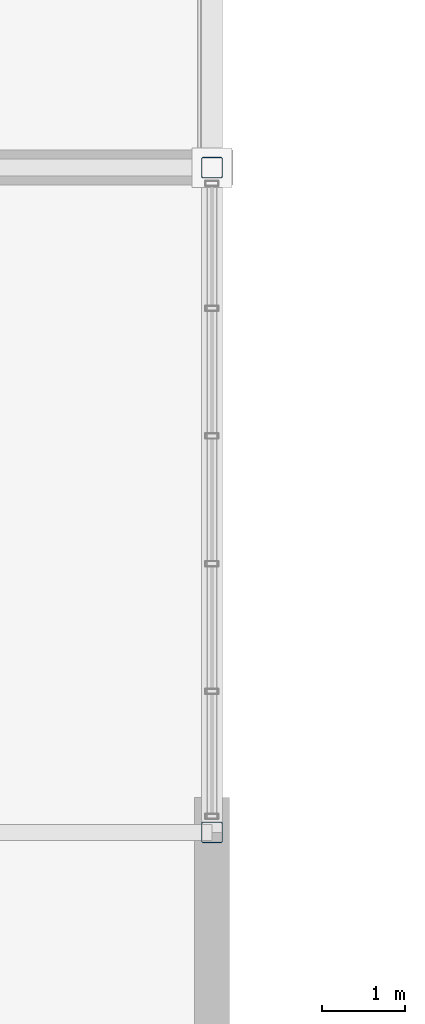
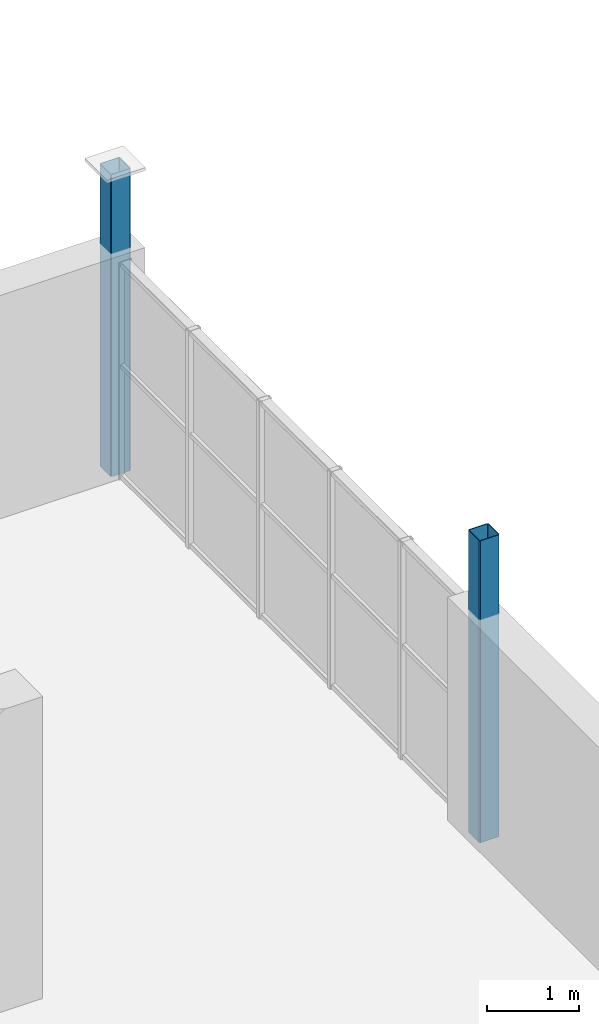
# One storey, part 8 of 35: 2 columns.
"""IFC4 building model written with IfcOpenShell, lengths in metres."""

from ifc_helpers import new_model, si_unit, direction, frame, origin, origin_2d, place, context, subcontext, project, spatial, hollow_rectangle, extrude, material, material_profile, profile_set, type_object, element, save


model = new_model("IFC4")

# Units and contexts
model_context = context("Model", 3, precision=1e-05, world=origin(), true_north=direction((0.0, 1.0)))
body_context = subcontext(model_context, "Body", "Model", "MODEL_VIEW")
ifc_project = project(units=[si_unit("LENGTHUNIT", "METRE"), si_unit("AREAUNIT", "SQUARE_METRE"), si_unit("VOLUMEUNIT", "CUBIC_METRE"), si_unit("PLANEANGLEUNIT", "RADIAN"), si_unit("MASSUNIT", "GRAM", prefix="KILO")], contexts=[model_context])

# Site, building, storey
site_placement = place(None, origin())
site = spatial("IfcSite", under=ifc_project, at=site_placement, CompositionType="ELEMENT")
building_placement = place(site_placement, origin())
building = spatial("IfcBuilding", under=site, at=building_placement, Name="Verrall Gate Interchange", CompositionType="ELEMENT")
storey_placement = place(building_placement, frame((0.0, 0.0, 15.39990234375)))
storey = spatial("IfcBuildingStorey", under=building, at=storey_placement, Name="L04", CompositionType="ELEMENT", Elevation=15.39990234375)

# Columns
ifc_material = material(Name="Structural Steel CSA G40.21 350WT Cat 4", Category="steel")
ifc_material_profile = material_profile(ifc_material, hollow_rectangle(XDim=0.25390625, YDim=0.25390625, WallThickness=0.009521484375, InnerFilletRadius=0.009521484375, OuterFilletRadius=0.01904296875, at=origin_2d()), Name="HSS254x254x9.5")
ifc_profile_set = profile_set([ifc_material_profile], Name="Structural Steel CSA G40.21 350WT Cat 4")
column_type = type_object("IfcColumnType", Name="C-13 Column HSS254x254x9.5", PredefinedType="COLUMN", material=ifc_profile_set)
for number, where, z_axis, x_axis, name in (
    (1, (36.0, 66.0, 0.0), (0.0, 0.0, 1.0), (1.0, 0.0, 0.0), "L04 Column COL-L04-0807 (C-13)"),
    (2, (36.0, 74.0, 0.0), (0.0, 0.0, 1.0), (1.0, 0.0, 0.0), "L04 Column COL-L04-0814 (C-13)"),
):
    element("IfcColumn", number, at=place(storey_placement, frame(where, z_axis=z_axis, x_axis=x_axis)), inside=storey, type_object=column_type, Name=name, PredefinedType="COLUMN", context=body_context, shape_type="SweptSolid", body=[
        extrude(hollow_rectangle(XDim=0.25390625, YDim=0.25390625, WallThickness=0.009521484375, InnerFilletRadius=0.009521484375, OuterFilletRadius=0.01904296875, at=origin_2d()), origin(), (0.0, 0.0, 1.0), 4.0),
    ])

save(model, "model.ifc")
